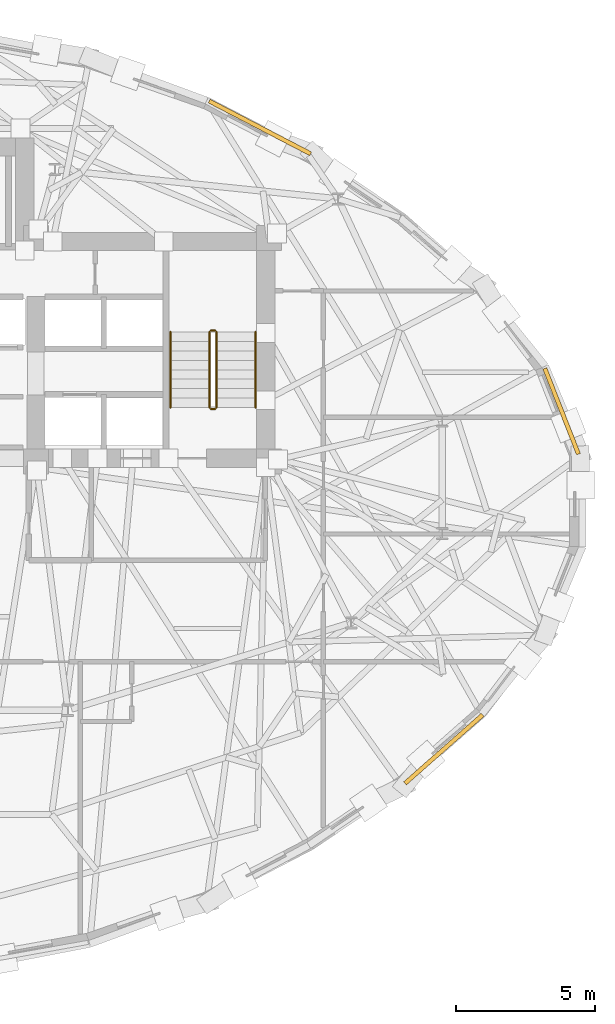
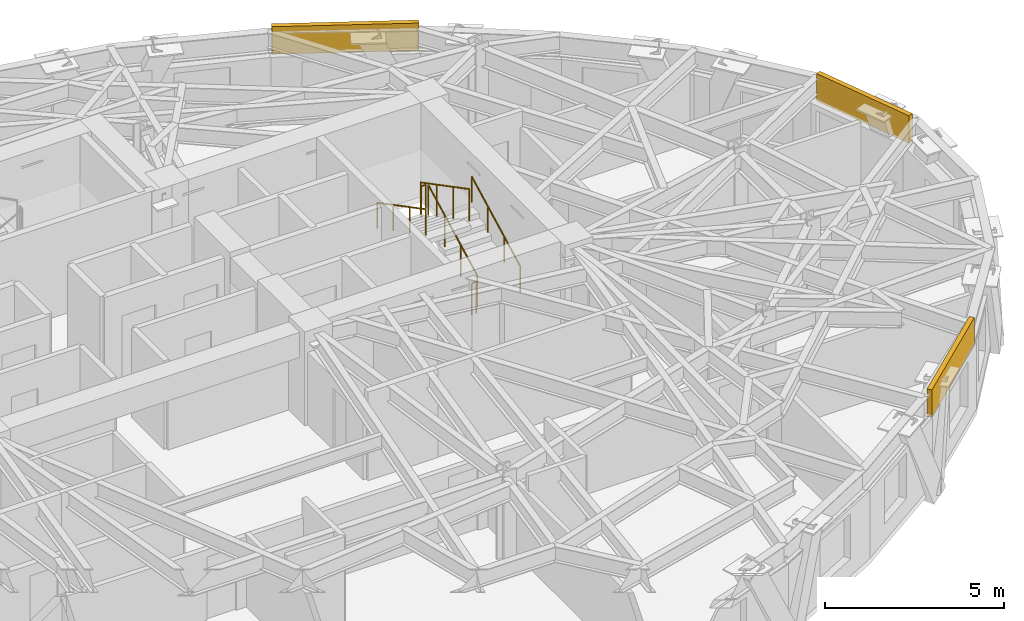
# One storey, part 14 of 14: 6 railings, 3 coverings.
"""IFC4 building model written with IfcOpenShell, lengths in metres."""

from ifc_helpers import new_model, si_unit, direction, frame, origin, origin_2d, place, context, subcontext, project, spatial, rectangle, circle, extrude, material, layer, layer_set, type_object, element, save


model = new_model("IFC4")

# Units and contexts
model_context = context("Model", 3, precision=1e-05, world=origin(), true_north=direction((0.0, 1.0)))
body_context = subcontext(model_context, "Body", "Model", "MODEL_VIEW")
ifc_project = project(units=[si_unit("LENGTHUNIT", "METRE"), si_unit("AREAUNIT", "SQUARE_METRE"), si_unit("VOLUMEUNIT", "CUBIC_METRE"), si_unit("PLANEANGLEUNIT", "RADIAN"), si_unit("MASSUNIT", "GRAM", prefix="KILO")], contexts=[model_context])

# Site, building, storey
site_placement = place(None, origin())
site = spatial("IfcSite", under=ifc_project, at=site_placement, CompositionType="ELEMENT")
building_placement = place(site_placement, origin())
building = spatial("IfcBuilding", under=site, at=building_placement, Name="Keldmark Tower", CompositionType="ELEMENT")
storey_placement = place(building_placement, frame((0.0, 0.0, 175.800048828125)))
storey = spatial("IfcBuildingStorey", under=building, at=storey_placement, Name="L48", CompositionType="ELEMENT", Elevation=175.800048828125)

# Coverings
ifc_material_1 = material(Name="Honed Kasota Buff Dolomitic Limestone", Category="masonry")
ifc_layer = layer(ifc_material_1, 0.074951171875)
ifc_layer_set = layer_set([ifc_layer], Name="Honed Kasota Buff Dolomitic Limestone")
covering_type = type_object("IfcCoveringType", Name="Kasota Buff Limestone Spandrel Cladding Band", PredefinedType="CLADDING", material=ifc_layer_set)
covering_1_placement = place(storey_placement, frame((24.126220703125, 3.21630859375, 2.239013671875), z_axis=(0.0, 0.0, 1.0), x_axis=(-0.365396727067, 0.930851885022, 0.0)))
element("IfcCovering", 1, at=covering_1_placement, inside=storey, type_object=covering_type, Name="L48 Kasota Limestone Spandrel Band 01", PredefinedType="CLADDING", context=body_context, shape_type="SweptSolid", body=[
    extrude(rectangle(XDim=3.311279296875, YDim=0.14990234375, at=origin_2d()), origin(), (0.0, 0.0, 1.0), 0.94091796875),
])
covering_2_placement = place(storey_placement, frame((13.2666015625, 13.43212890625, 2.239013671875), z_axis=(0.0, 0.0, 1.0), x_axis=(-0.8870994662, 0.461578310871, 0.0)))
element("IfcCovering", 2, at=covering_2_placement, inside=storey, type_object=covering_type, Name="L48 Kasota Limestone Spandrel Band 05", PredefinedType="CLADDING", context=body_context, shape_type="SweptSolid", body=[
    extrude(rectangle(XDim=4.115478515625, YDim=0.14990234375, at=origin_2d()), origin(), (0.0, 0.0, 1.0), 0.94091796875),
])
covering_3_placement = place(storey_placement, frame((19.885498046875, -8.9453125, 2.239013671875), z_axis=(0.0, 0.0, 1.0), x_axis=(0.749533680611, 0.661966208828, 0.0)))
element("IfcCovering", 3, at=covering_3_placement, inside=storey, type_object=covering_type, Name="L48 Kasota Limestone Spandrel Band 29", PredefinedType="CLADDING", context=body_context, shape_type="SweptSolid", body=[
    extrude(rectangle(XDim=3.727783203125, YDim=0.14990234375, at=origin_2d()), origin(), (0.0, 0.0, 1.0), 0.94091796875),
])

# Railings
ifc_material_2 = material(Name="Painted Steel ASTM A500 Grade B", Category="steel")
railing_type_1 = type_object("IfcRailingType", Name="Painted Steel Stair Well Guard 1100 mm", PredefinedType="GUARDRAIL", material=ifc_material_2)
railing_1_placement = place(storey_placement, frame((11.699951171875, 3.35009765625, 0.177734375)))
element("IfcRailing", 4, at=railing_1_placement, inside=storey, type_object=railing_type_1, Name="L48 ST2 stair guard 1", PredefinedType="GUARDRAIL", context=body_context, shape_type="SweptSolid", body=[
    extrude(circle(Radius=0.02392578125, at=origin_2d()), frame((0.0, 0.0, 1.076171875), z_axis=(0.0, 0.886183135912, 0.463335137482), x_axis=(-1.0, 0.0, 0.0)), (0.0, 0.0, 1.0), 3.0693359375),
    extrude(circle(Radius=0.02099609375, at=origin_2d()), origin(), (0.0, 0.0, 1.0), 1.052001953125),
    extrude(circle(Radius=0.02099609375, at=origin_2d()), frame((0.0, 0.90673828125, 0.47412109375)), (0.0, 0.0, 1.0), 1.052001953125),
    extrude(circle(Radius=0.02099609375, at=origin_2d()), frame((0.0, 1.813232421875, 0.947998046875)), (0.0, 0.0, 1.0), 1.052001953125),
    extrude(circle(Radius=0.02099609375, at=origin_2d()), frame((0.0, 2.719970703125, 1.422119140625)), (0.0, 0.0, 1.0), 1.052001953125),
])
railing_2_placement = place(storey_placement, frame((11.64990234375, 6.1201171875, 1.599853515625)))
element("IfcRailing", 5, at=railing_2_placement, inside=storey, type_object=railing_type_1, Name="L48 ST2 stair guard 2", PredefinedType="GUARDRAIL", context=body_context, shape_type="SweptSolid", body=[
    extrude(circle(Radius=0.02392578125, at=origin_2d()), frame((0.0, 0.0, 1.076171875), z_axis=(-1.0, 0.0, 0.0), x_axis=(0.0, -1.0, 0.0)), (0.0, 0.0, 1.0), 0.14990234375),
    extrude(circle(Radius=0.02099609375, at=origin_2d()), origin(), (0.0, 0.0, 1.0), 1.052001953125),
    extrude(circle(Radius=0.02099609375, at=origin_2d()), frame((-0.14990234375, 0.0, 0.0)), (0.0, 0.0, 1.0), 1.052001953125),
])
railing_3_placement = place(storey_placement, frame((11.449951171875, 6.070068359375, 1.77783203125)))
element("IfcRailing", 6, at=railing_3_placement, inside=storey, type_object=railing_type_1, Name="L48 ST2 stair guard 3", PredefinedType="GUARDRAIL", context=body_context, shape_type="SweptSolid", body=[
    extrude(circle(Radius=0.02392578125, at=origin_2d()), frame((0.0, 0.0, 1.076171875), z_axis=(0.0, -0.886183135912, 0.463335137482), x_axis=(1.0, 0.0, 0.0)), (0.0, 0.0, 1.0), 3.0693359375),
    extrude(circle(Radius=0.02099609375, at=origin_2d()), origin(), (0.0, 0.0, 1.0), 1.052001953125),
    extrude(circle(Radius=0.02099609375, at=origin_2d()), frame((0.0, -0.90673828125, 0.47412109375)), (0.0, 0.0, 1.0), 1.052001953125),
    extrude(circle(Radius=0.02099609375, at=origin_2d()), frame((0.0, -1.813232421875, 0.947998046875)), (0.0, 0.0, 1.0), 1.052001953125),
    extrude(circle(Radius=0.02099609375, at=origin_2d()), frame((0.0, -2.719970703125, 1.422119140625)), (0.0, 0.0, 1.0), 1.052001953125),
])
railing_4_placement = place(storey_placement, frame((11.64990234375, 3.300048828125, 0.0)))
element("IfcRailing", 7, at=railing_4_placement, inside=storey, type_object=railing_type_1, Name="L48 ST2 stair guard 4", PredefinedType="GUARDRAIL", context=body_context, shape_type="SweptSolid", body=[
    extrude(circle(Radius=0.02392578125, at=origin_2d()), frame((0.0, 0.0, 1.076171875), z_axis=(-1.0, 0.0, 0.0), x_axis=(0.0, -1.0, 0.0)), (0.0, 0.0, 1.0), 0.14990234375),
    extrude(circle(Radius=0.02099609375, at=origin_2d()), origin(), (0.0, 0.0, 1.0), 1.052001953125),
    extrude(circle(Radius=0.02099609375, at=origin_2d()), frame((-0.14990234375, 0.0, 0.0)), (0.0, 0.0, 1.0), 1.052001953125),
])
ifc_material_3 = material(Name="Stainless Steel AISI 316L", Category="steel")
railing_type_2 = type_object("IfcRailingType", Name="Stainless Steel Stair Handrail 900 mm", PredefinedType="HANDRAIL", material=ifc_material_3)
railing_5_placement = place(storey_placement, frame((13.10009765625, 3.35009765625, 0.177734375)))
element("IfcRailing", 8, at=railing_5_placement, inside=storey, type_object=railing_type_2, Name="L48 ST2 stair handrail 1", PredefinedType="HANDRAIL", context=body_context, shape_type="SweptSolid", body=[
    extrude(circle(Radius=0.02392578125, at=origin_2d()), frame((0.0, 0.0, 0.8759765625), z_axis=(0.0, 0.886183135912, 0.463335137482), x_axis=(-1.0, 0.0, 0.0)), (0.0, 0.0, 1.0), 3.0693359375),
    extrude(circle(Radius=0.02099609375, at=origin_2d()), origin(), (0.0, 0.0, 1.0), 0.851806640625),
    extrude(circle(Radius=0.02099609375, at=origin_2d()), frame((0.0, 0.90673828125, 0.47412109375)), (0.0, 0.0, 1.0), 0.851806640625),
    extrude(circle(Radius=0.02099609375, at=origin_2d()), frame((0.0, 1.813232421875, 0.947998046875)), (0.0, 0.0, 1.0), 0.851806640625),
    extrude(circle(Radius=0.02099609375, at=origin_2d()), frame((0.0, 2.719970703125, 1.422119140625)), (0.0, 0.0, 1.0), 0.851806640625),
])
railing_6_placement = place(storey_placement, frame((10.050048828125, 6.070068359375, 1.77783203125)))
element("IfcRailing", 9, at=railing_6_placement, inside=storey, type_object=railing_type_2, Name="L48 ST2 stair handrail 2", PredefinedType="HANDRAIL", context=body_context, shape_type="SweptSolid", body=[
    extrude(circle(Radius=0.02392578125, at=origin_2d()), frame((0.0, 0.0, 0.8759765625), z_axis=(0.0, -0.886183135912, 0.463335137482), x_axis=(1.0, 0.0, 0.0)), (0.0, 0.0, 1.0), 3.0693359375),
    extrude(circle(Radius=0.02099609375, at=origin_2d()), origin(), (0.0, 0.0, 1.0), 0.851806640625),
    extrude(circle(Radius=0.02099609375, at=origin_2d()), frame((0.0, -0.90673828125, 0.47412109375)), (0.0, 0.0, 1.0), 0.851806640625),
    extrude(circle(Radius=0.02099609375, at=origin_2d()), frame((0.0, -1.813232421875, 0.947998046875)), (0.0, 0.0, 1.0), 0.851806640625),
    extrude(circle(Radius=0.02099609375, at=origin_2d()), frame((0.0, -2.719970703125, 1.422119140625)), (0.0, 0.0, 1.0), 0.851806640625),
])

save(model, "model.ifc")
